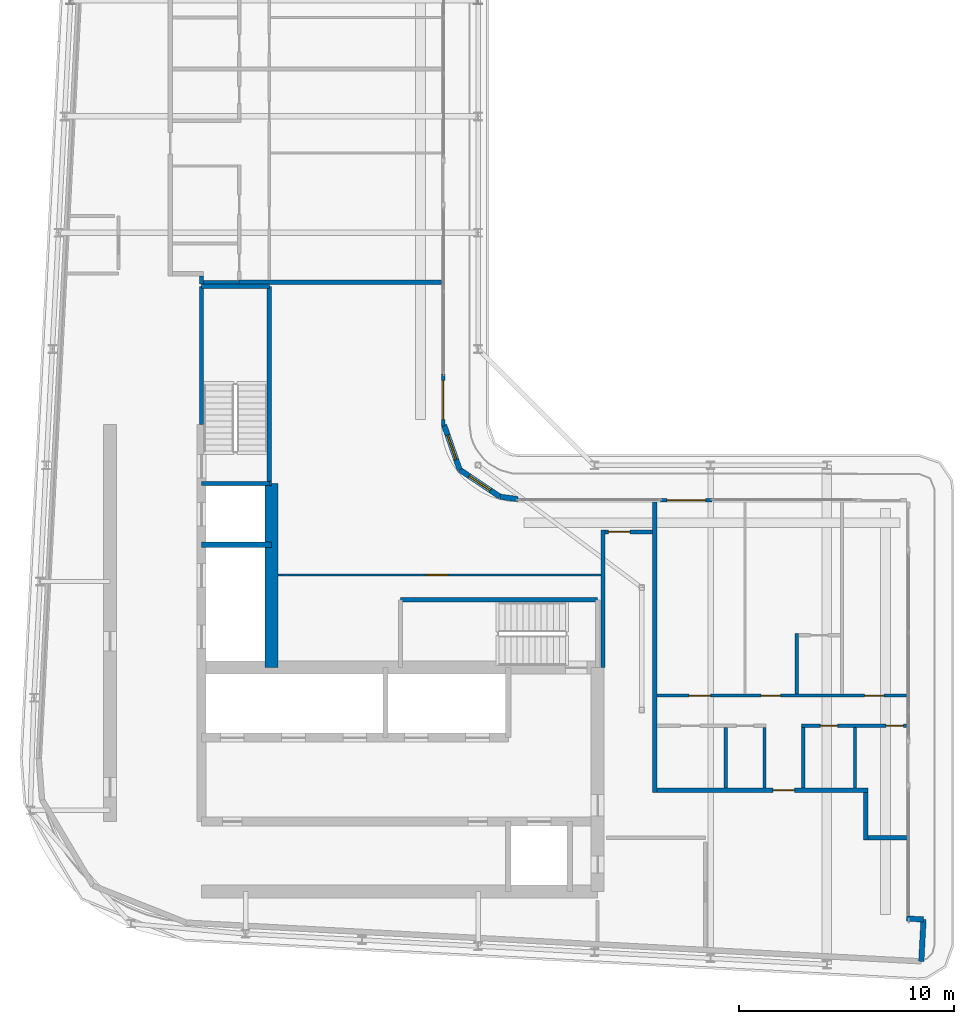
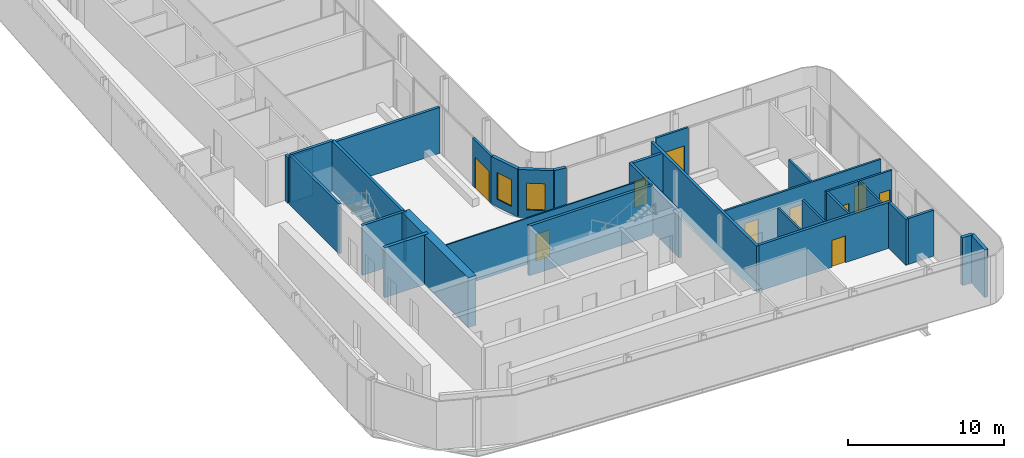
# One storey, part 12 of 21: 32 walls, 10 doors, 2 windows, 12 openings.
"""IFC4 building model written with IfcOpenShell, lengths in metres."""

from ifc_helpers import new_model, si_unit, direction, frame, frame_2d, origin, place, context, subcontext, project, spatial, rectangle, extrude, source, transform, mapped, material, layer, layer_set, type_object, element, fill, save


model = new_model("IFC4")

# Units and contexts
model_context = context("Model", 3, precision=1e-05, world=origin(), true_north=direction((0.0, 1.0)))
body_context = subcontext(model_context, "Body", "Model", "MODEL_VIEW")
ifc_project = project(units=[si_unit("LENGTHUNIT", "METRE"), si_unit("AREAUNIT", "SQUARE_METRE"), si_unit("VOLUMEUNIT", "CUBIC_METRE"), si_unit("PLANEANGLEUNIT", "RADIAN"), si_unit("MASSUNIT", "GRAM", prefix="KILO")], contexts=[model_context])

# Site, building, storey
site_placement = place(None, origin())
site = spatial("IfcSite", under=ifc_project, at=site_placement, CompositionType="ELEMENT")
building_placement = place(site_placement, origin())
building = spatial("IfcBuilding", under=site, at=building_placement, Name="Kheshtan School and Residences Tower", CompositionType="ELEMENT")
storey_placement = place(building_placement, frame((0.0, 0.0, 290.300048828125)))
storey = spatial("IfcBuildingStorey", under=building, at=storey_placement, Name="L68", CompositionType="ELEMENT", Elevation=290.300048828125)

# Walls
ifc_material_1 = material(Name="Concrete C60/75", Category="concrete")
ifc_layer_1 = layer(ifc_material_1, 0.60009765625)
ifc_layer_set_1 = layer_set([ifc_layer_1], Name="Core wall 600 Concrete C60/75")
wall_type_1 = type_object("IfcWallType", Name="Core wall 600 Concrete C60/75", PredefinedType="SHEAR", material=ifc_layer_set_1)
wall_1_placement = place(storey_placement, frame((38.0, 36.199951171875, 0.0), z_axis=(0.0, 0.0, 1.0), x_axis=(0.0, 1.0, 0.0)))
element("IfcWall", 1, at=wall_1_placement, inside=storey, type_object=wall_type_1, Name="Core wall CW-FRONT-W", PredefinedType="SHEAR", context=body_context, shape_type="SweptSolid", body=[
    extrude(rectangle(XDim=8.550048828125, YDim=0.60009765625, at=frame_2d((4.27490234375, 0.0))), origin(), (0.0, 0.0, 1.0), 3.89990234375),
])
ifc_material_2 = material(Name="Gypsum board on steel studs with fire boards", Category="steel")
ifc_layer_2 = layer(ifc_material_2, 0.199951171875)
ifc_layer_set_2 = layer_set([ifc_layer_2], Name="Corridor wall 200")
wall_type_2 = type_object("IfcWallType", Name="Corridor wall 200", PredefinedType="PARTITIONING", material=ifc_layer_set_2)
wall_2_placement = place(storey_placement, frame((34.75, 54.02490234375, 0.0), z_axis=(0.0, 0.0, 1.0), x_axis=(0.0, 1.0, 0.0)))
element("IfcWall", 2, at=wall_2_placement, inside=storey, type_object=wall_type_2, Name="Partition L68-018", PredefinedType="PARTITIONING", context=body_context, shape_type="SweptSolid", body=[
    extrude(rectangle(XDim=0.375, YDim=0.199951171875, at=frame_2d((0.1875, 0.0))), origin(), (0.0, 0.0, 1.0), 3.599853515625),
])
wall_3_placement = place(storey_placement, frame((53.39990234375, 36.198974609375, 0.0), z_axis=(0.0, 0.0, 1.0), x_axis=(0.0, 1.0, 0.0)))
element("IfcWall", 3, at=wall_3_placement, inside=storey, type_object=wall_type_2, Name="Partition L68-040", PredefinedType="PARTITIONING", context=body_context, shape_type="SweptSolid", body=[
    extrude(rectangle(XDim=6.401123046875, YDim=0.199951171875, at=frame_2d((3.20068359375, 0.0))), origin(), (0.0, 0.0, 1.0), 3.599853515625),
])

# Wall, opening, door
wall_4_placement = place(storey_placement, frame((53.5, 42.5, 0.0), z_axis=(0.0, 0.0, 1.0), x_axis=(1.0, 0.0, 0.0)))
wall_4 = element("IfcWall", 4, at=wall_4_placement, inside=storey, type_object=wall_type_2, Name="Partition L68-041", PredefinedType="PARTITIONING", context=body_context, shape_type="SweptSolid", body=[
    extrude(rectangle(XDim=2.199951171875, YDim=0.199951171875, at=frame_2d((1.10009765625, 0.0))), origin(), (0.0, 0.0, 1.0), 3.599853515625),
])
opening_1_placement = place(wall_4_placement, frame((0.14990234375, 0.0, 0.0)))
opening_1 = element("IfcOpeningElement", 5, at=opening_1_placement, cuts=wall_4, Name="Opening D68-038", PredefinedType="OPENING", context=body_context, shape_type="SweptSolid", body=[
    extrude(rectangle(XDim=1.0, YDim=2.10009765625, at=frame_2d((0.5, 1.050048828125))), frame((0.0, 0.10986328125, 0.0), z_axis=(0.0, -1.0, 0.0), x_axis=(1.0, 0.0, 0.0)), (0.0, 0.0, 1.0), 0.219970703125),
])
ifc_material_3 = material(Name="Steel-framed fire-resisting door leaf", Category="steel")
door_type_1 = type_object("IfcDoorType", Name="Fire door FD60 1000 x 2100", OperationType="SINGLE_SWING_LEFT", PredefinedType="DOOR", material=ifc_material_3)
shared_shape_1 = source(origin(), body_context, "Body", "SweptSolid", [
    extrude(rectangle(XDim=1.0, YDim=2.10009765625, at=frame_2d((0.5, 1.050048828125))), frame((0.0, 0.02490234375, 0.0), z_axis=(0.0, -1.0, 0.0), x_axis=(1.0, 0.0, 0.0)), (0.0, 0.0, 1.0), 0.050048828125),
])
door_1_placement = place(opening_1_placement, origin())
door_1 = element("IfcDoor", 6, at=door_1_placement, inside=storey, type_object=door_type_1, Name="Door D68-038", OperationType="SINGLE_SWING_RIGHT", OverallHeight=2.10009765625, OverallWidth=1.0, PredefinedType="DOOR", context=body_context, shape_type="MappedRepresentation", body=[
    mapped(shared_shape_1, transform((0.0, 0.0, 0.0), x_axis=(1.0, 0.0, 0.0), y_axis=(0.0, 1.0, 0.0), z_axis=(0.0, 0.0, 1.0), scale=1.0)),
])
fill(opening_1, door_1)

wall_5_placement = place(storey_placement, frame((55.89990234375, 30.5, 0.0), z_axis=(0.0, 0.0, 1.0), x_axis=(1.0, 0.0, 0.0)))
wall_5 = element("IfcWall", 7, at=wall_5_placement, inside=storey, type_object=wall_type_2, Name="Partition L68-043", PredefinedType="PARTITIONING", context=body_context, shape_type="SweptSolid", body=[
    extrude(rectangle(XDim=9.800048828125, YDim=0.199951171875, at=frame_2d((4.89990234375, 0.0))), origin(), (0.0, 0.0, 1.0), 3.599853515625),
])
opening_2_placement = place(wall_5_placement, frame((5.39990234375, 0.0, 0.0)))
opening_2 = element("IfcOpeningElement", 8, at=opening_2_placement, cuts=wall_5, Name="Opening D68-005", PredefinedType="OPENING", context=body_context, shape_type="SweptSolid", body=[
    extrude(rectangle(XDim=1.0, YDim=2.10009765625, at=frame_2d((0.5, 1.050048828125))), frame((0.0, 0.10986328125, 0.0), z_axis=(0.0, -1.0, 0.0), x_axis=(1.0, 0.0, 0.0)), (0.0, 0.0, 1.0), 0.219970703125),
])
door_type_2 = type_object("IfcDoorType", Name="Fire door FD30S 1000 x 2100", OperationType="SINGLE_SWING_LEFT", PredefinedType="DOOR", material=ifc_material_3)
shared_shape_2 = source(origin(), body_context, "Body", "SweptSolid", [
    extrude(rectangle(XDim=1.0, YDim=2.10009765625, at=frame_2d((0.5, 1.050048828125))), frame((0.0, 0.02490234375, 0.0), z_axis=(0.0, -1.0, 0.0), x_axis=(1.0, 0.0, 0.0)), (0.0, 0.0, 1.0), 0.050048828125),
])
door_2_placement = place(opening_2_placement, origin())
door_2 = element("IfcDoor", 9, at=door_2_placement, inside=storey, type_object=door_type_2, Name="Door D68-005", OperationType="SINGLE_SWING_RIGHT", OverallHeight=2.10009765625, OverallWidth=1.0, PredefinedType="DOOR", context=body_context, shape_type="MappedRepresentation", body=[
    mapped(shared_shape_2, transform((0.0, 0.0, 0.0), x_axis=(1.0, 0.0, 0.0), y_axis=(0.0, 1.0, 0.0), z_axis=(0.0, 0.0, 1.0), scale=1.0)),
])
fill(opening_2, door_2)

# Walls
wall_6_placement = place(storey_placement, frame((65.60009765625, 28.199951171875, 0.0), z_axis=(0.0, 0.0, 1.0), x_axis=(0.0, 1.0, 0.0)))
element("IfcWall", 10, at=wall_6_placement, inside=storey, type_object=wall_type_2, Name="Partition L68-055", PredefinedType="PARTITIONING", context=body_context, shape_type="SweptSolid", body=[
    extrude(rectangle(XDim=2.199951171875, YDim=0.199951171875, at=frame_2d((1.10009765625, 0.0))), origin(), (0.0, 0.0, 1.0), 3.599853515625),
])
wall_7_placement = place(storey_placement, frame((65.699951171875, 28.300048828125, 0.0), z_axis=(0.0, 0.0, 1.0), x_axis=(1.0, 0.0, 0.0)))
element("IfcWall", 11, at=wall_7_placement, inside=storey, type_object=wall_type_2, Name="Partition L68-056", PredefinedType="PARTITIONING", context=body_context, shape_type="SweptSolid", body=[
    extrude(rectangle(XDim=1.8701171875, YDim=0.199951171875, at=frame_2d((0.93505859375, 0.0))), origin(), (0.0, 0.0, 1.0), 3.599853515625),
])

# Wall, opening, window
ifc_material_4 = material(Name="Concrete C40/50 with ceramic cladding and mineral wool insulation", Category="concrete")
ifc_layer_3 = layer(ifc_material_4, 0.25)
ifc_layer_set_3 = layer_set([ifc_layer_3], Name="External wall 250 ceramic clad")
wall_type_3 = type_object("IfcWallType", Name="External wall 250 ceramic clad", PredefinedType="SOLIDWALL", material=ifc_layer_set_3)
wall_8_placement = place(storey_placement, frame((46.01806640625, 47.470947265625, 0.0), z_axis=(0.0, 0.0, 1.0), x_axis=(0.328791208903, -0.944402637093, 0.0)))
wall_8 = element("IfcWall", 12, at=wall_8_placement, inside=storey, type_object=wall_type_3, Name="External wall L68 9", PredefinedType="SOLIDWALL", context=body_context, shape_type="SweptSolid", body=[
    extrude(rectangle(XDim=2.20458984375, YDim=0.25, at=frame_2d((1.102294921875, 0.0))), origin(), (0.0, 0.0, 1.0), 3.75),
])
opening_3_placement = place(wall_8_placement, frame((0.5029296875, 0.0, 0.60009765625)))
opening_3 = element("IfcOpeningElement", 13, at=opening_3_placement, cuts=wall_8, Name="Opening WN-E", PredefinedType="OPENING", context=body_context, shape_type="SweptSolid", body=[
    extrude(rectangle(XDim=1.199951171875, YDim=2.10009765625, at=frame_2d((0.60009765625, 1.050048828125))), frame((0.0, 0.135009765625, 0.0), z_axis=(0.0, -1.0, 0.0), x_axis=(1.0, 0.0, 0.0)), (0.0, 0.0, 1.0), 0.27001953125),
])
ifc_material_5 = material(Name="Clear low-e glass in thermally broken aluminium frame", Category="aluminium")
window_type = type_object("IfcWindowType", Name="Window WN-E", PartitioningType="SINGLE_PANEL", PredefinedType="WINDOW", material=ifc_material_5)
shared_shape_3 = source(origin(), body_context, "Body", "SweptSolid", [
    extrude(rectangle(XDim=1.199951171875, YDim=2.10009765625, at=frame_2d((0.60009765625, 1.050048828125))), frame((0.0, 0.030029296875, 0.0), z_axis=(0.0, -1.0, 0.0), x_axis=(1.0, 0.0, 0.0)), (0.0, 0.0, 1.0), 0.06005859375),
])
window_1_placement = place(opening_3_placement, origin())
window_1 = element("IfcWindow", 14, at=window_1_placement, inside=storey, type_object=window_type, Name="Window L68 9", OverallHeight=2.10009765625, OverallWidth=1.199951171875, PartitioningType="SINGLE_PANEL", PredefinedType="WINDOW", context=body_context, shape_type="MappedRepresentation", body=[
    mapped(shared_shape_3, transform((0.0, 0.0, 0.0), x_axis=(1.0, 0.0, 0.0), y_axis=(0.0, 1.0, 0.0), z_axis=(0.0, 0.0, 1.0), scale=1.0)),
])
fill(opening_3, window_1)

wall_9_placement = place(storey_placement, frame((46.742919921875, 45.388916015625, 0.0), z_axis=(0.0, 0.0, 1.0), x_axis=(0.831449265529, -0.555600682912, 0.0)))
wall_9 = element("IfcWall", 15, at=wall_9_placement, inside=storey, type_object=wall_type_3, Name="External wall L68 10", PredefinedType="SOLIDWALL", context=body_context, shape_type="SweptSolid", body=[
    extrude(rectangle(XDim=2.25146484375, YDim=0.25, at=frame_2d((1.125732421875, 0.0))), origin(), (0.0, 0.0, 1.0), 3.75),
])
opening_4_placement = place(wall_9_placement, frame((0.52490234375, 0.0, 0.60009765625)))
opening_4 = element("IfcOpeningElement", 16, at=opening_4_placement, cuts=wall_9, Name="Opening WN-E", PredefinedType="OPENING", context=body_context, shape_type="SweptSolid", body=[
    extrude(rectangle(XDim=1.199951171875, YDim=2.10009765625, at=frame_2d((0.60009765625, 1.050048828125))), frame((0.0, 0.135009765625, 0.0), z_axis=(0.0, -1.0, 0.0), x_axis=(1.0, 0.0, 0.0)), (0.0, 0.0, 1.0), 0.27001953125),
])
window_2_placement = place(opening_4_placement, origin())
window_2 = element("IfcWindow", 17, at=window_2_placement, inside=storey, type_object=window_type, Name="Window L68 10", OverallHeight=2.10009765625, OverallWidth=1.199951171875, PartitioningType="SINGLE_PANEL", PredefinedType="WINDOW", context=body_context, shape_type="MappedRepresentation", body=[
    mapped(shared_shape_3, transform((0.0, 0.0, 0.0), x_axis=(1.0, 0.0, 0.0), y_axis=(0.0, 1.0, 0.0), z_axis=(0.0, 0.0, 1.0), scale=1.0)),
])
fill(opening_4, window_2)

# Walls
wall_10_placement = place(storey_placement, frame((48.614990234375, 44.137939453125, 0.0), z_axis=(0.0, 0.0, 1.0), x_axis=(0.990741504246, -0.135761819977, 0.0)))
element("IfcWall", 18, at=wall_10_placement, inside=storey, type_object=wall_type_3, Name="External wall L68 11", PredefinedType="SOLIDWALL", context=body_context, shape_type="SweptSolid", body=[
    extrude(rectangle(XDim=0.83984375, YDim=0.25, at=frame_2d((0.419921875, 0.0))), origin(), (0.0, 0.0, 1.0), 3.75),
])
wall_11_placement = place(storey_placement, frame((67.507080078125, 24.5439453125, 0.0), z_axis=(0.0, 0.0, 1.0), x_axis=(0.998561284263, -0.053622398031, 0.0)))
element("IfcWall", 19, at=wall_11_placement, inside=storey, type_object=wall_type_3, Name="External wall L68 14", PredefinedType="SOLIDWALL", context=body_context, shape_type="SweptSolid", body=[
    extrude(rectangle(XDim=0.783203125, YDim=0.25, at=frame_2d((0.3916015625, 0.0))), origin(), (0.0, 0.0, 1.0), 3.75),
])
wall_12_placement = place(storey_placement, frame((68.2890625, 24.501953125, 0.0), z_axis=(0.0, 0.0, 1.0), x_axis=(-0.052841433274, -0.998602915542, 0.0)))
element("IfcWall", 20, at=wall_12_placement, inside=storey, type_object=wall_type_3, Name="External wall L68 15", PredefinedType="SOLIDWALL", context=body_context, shape_type="SweptSolid", body=[
    extrude(rectangle(XDim=1.94970703125, YDim=0.25, at=frame_2d((0.974853515625, 0.0))), origin(), (0.0, 0.0, 1.0), 3.75),
])

# Wall, opening, door
ifc_material_6 = material(Name="Aluminium frame wall with insulated infill", Category="aluminium")
ifc_layer_4 = layer(ifc_material_6, 0.14990234375)
ifc_layer_set_4 = layer_set([ifc_layer_4], Name="Glazing frame wall 150")
wall_type_4 = type_object("IfcWallType", Name="Glazing frame wall 150", PredefinedType="SOLIDWALL", material=ifc_layer_set_4)
wall_13_placement = place(storey_placement, frame((45.97509765625, 49.830078125, 0.0), z_axis=(0.0, 0.0, 1.0), x_axis=(0.0, -1.0, 0.0)))
wall_13 = element("IfcWall", 21, at=wall_13_placement, inside=storey, type_object=wall_type_4, Name="Balcony door wall L68 8.5", PredefinedType="SOLIDWALL", context=body_context, shape_type="SweptSolid", body=[
    extrude(rectangle(XDim=2.400146484375, YDim=0.14990234375, at=frame_2d((1.2001953125, 0.0))), origin(), (0.0, 0.0, 1.0), 3.75),
])
opening_5_placement = place(wall_13_placement, frame((0.300048828125, 0.0, 0.0)))
opening_5 = element("IfcOpeningElement", 22, at=opening_5_placement, cuts=wall_13, Name="Opening BD", PredefinedType="OPENING", context=body_context, shape_type="SweptSolid", body=[
    extrude(rectangle(XDim=1.800048828125, YDim=2.39990234375, at=frame_2d((0.89990234375, 1.199951171875))), frame((0.0, 0.0849609375, 0.0), z_axis=(0.0, -1.0, 0.0), x_axis=(1.0, 0.0, 0.0)), (0.0, 0.0, 1.0), 0.169921875),
])
door_type_3 = type_object("IfcDoorType", Name="Balcony sliding door", OperationType="SLIDING_TO_LEFT", PredefinedType="DOOR", material=ifc_material_5)
shared_shape_4 = source(origin(), body_context, "Body", "SweptSolid", [
    extrude(rectangle(XDim=1.800048828125, YDim=2.39990234375, at=frame_2d((0.89990234375, 1.199951171875))), frame((0.0, 0.02490234375, 0.0), z_axis=(0.0, -1.0, 0.0), x_axis=(1.0, 0.0, 0.0)), (0.0, 0.0, 1.0), 0.050048828125),
])
door_3_placement = place(opening_5_placement, origin())
door_3 = element("IfcDoor", 23, at=door_3_placement, inside=storey, type_object=door_type_3, Name="Balcony door L68 8.5", OperationType="SLIDING_TO_LEFT", OverallHeight=2.39990234375, OverallWidth=1.800048828125, PredefinedType="DOOR", context=body_context, shape_type="MappedRepresentation", body=[
    mapped(shared_shape_4, transform((0.0, 0.0, 0.0), x_axis=(1.0, 0.0, 0.0), y_axis=(0.0, 1.0, 0.0), z_axis=(0.0, 0.0, 1.0), scale=1.0)),
])
fill(opening_5, door_3)

wall_14_placement = place(storey_placement, frame((56.06494140625, 43.97509765625, 0.0), z_axis=(0.0, 0.0, 1.0), x_axis=(1.0, 0.0, 0.0)))
wall_14 = element("IfcWall", 24, at=wall_14_placement, inside=storey, type_object=wall_type_4, Name="Balcony door wall L68 12.1", PredefinedType="SOLIDWALL", context=body_context, shape_type="SweptSolid", body=[
    extrude(rectangle(XDim=2.400146484375, YDim=0.14990234375, at=frame_2d((1.2001953125, 0.0))), origin(), (0.0, 0.0, 1.0), 3.75),
])
opening_6_placement = place(wall_14_placement, frame((0.300048828125, 0.0, 0.0)))
opening_6 = element("IfcOpeningElement", 25, at=opening_6_placement, cuts=wall_14, Name="Opening BD", PredefinedType="OPENING", context=body_context, shape_type="SweptSolid", body=[
    extrude(rectangle(XDim=1.800048828125, YDim=2.39990234375, at=frame_2d((0.89990234375, 1.199951171875))), frame((0.0, 0.0849609375, 0.0), z_axis=(0.0, -1.0, 0.0), x_axis=(1.0, 0.0, 0.0)), (0.0, 0.0, 1.0), 0.169921875),
])
door_4_placement = place(opening_6_placement, origin())
door_4 = element("IfcDoor", 26, at=door_4_placement, inside=storey, type_object=door_type_3, Name="Balcony door L68 12.1", OperationType="SLIDING_TO_LEFT", OverallHeight=2.39990234375, OverallWidth=1.800048828125, PredefinedType="DOOR", context=body_context, shape_type="MappedRepresentation", body=[
    mapped(shared_shape_4, transform((0.0, 0.0, 0.0), x_axis=(1.0, 0.0, 0.0), y_axis=(0.0, 1.0, 0.0), z_axis=(0.0, 0.0, 1.0), scale=1.0)),
])
fill(opening_6, door_4)

ifc_material_7 = material(Name="Gypsum board on steel studs", Category="steel")
ifc_layer_5 = layer(ifc_material_7, 0.10009765625)
ifc_layer_set_5 = layer_set([ifc_layer_5], Name="Gypsum partition 100")
wall_type_5 = type_object("IfcWallType", Name="Gypsum partition 100", PredefinedType="PARTITIONING", material=ifc_layer_set_5)
wall_15_placement = place(storey_placement, frame((38.299072265625, 40.5, 0.0), z_axis=(0.0, 0.0, 1.0), x_axis=(1.0, 0.0, 0.0)))
wall_15 = element("IfcWall", 27, at=wall_15_placement, inside=storey, type_object=wall_type_5, Name="Partition L68-039", PredefinedType="PARTITIONING", context=body_context, shape_type="SweptSolid", body=[
    extrude(rectangle(XDim=15.0009765625, YDim=0.10009765625, at=frame_2d((7.50048828125, 0.0))), origin(), (0.0, 0.0, 1.0), 3.599853515625),
])
opening_7_placement = place(wall_15_placement, frame((6.90087890625, 0.0, 0.0)))
opening_7 = element("IfcOpeningElement", 28, at=opening_7_placement, cuts=wall_15, Name="Opening D68-037", PredefinedType="OPENING", context=body_context, shape_type="SweptSolid", body=[
    extrude(rectangle(XDim=1.0, YDim=2.10009765625, at=frame_2d((0.5, 1.050048828125))), frame((0.0, 0.06005859375, 0.0), z_axis=(0.0, -1.0, 0.0), x_axis=(1.0, 0.0, 0.0)), (0.0, 0.0, 1.0), 0.1201171875),
])
ifc_material_8 = material(Name="Veneered timber door leaf", Category="wood")
door_type_4 = type_object("IfcDoorType", Name="Door 1000 x 2100", OperationType="SINGLE_SWING_LEFT", PredefinedType="DOOR", material=ifc_material_8)
shared_shape_5 = source(origin(), body_context, "Body", "SweptSolid", [
    extrude(rectangle(XDim=1.0, YDim=2.10009765625, at=frame_2d((0.5, 1.050048828125))), frame((0.0, 0.02490234375, 0.0), z_axis=(0.0, -1.0, 0.0), x_axis=(1.0, 0.0, 0.0)), (0.0, 0.0, 1.0), 0.050048828125),
])
door_5_placement = place(opening_7_placement, origin())
door_5 = element("IfcDoor", 29, at=door_5_placement, inside=storey, type_object=door_type_4, Name="Door D68-037", OperationType="SINGLE_SWING_RIGHT", OverallHeight=2.10009765625, OverallWidth=1.0, PredefinedType="DOOR", context=body_context, shape_type="MappedRepresentation", body=[
    mapped(shared_shape_5, transform((0.0, 0.0, 0.0), x_axis=(1.0, 0.0, 0.0), y_axis=(0.0, 1.0, 0.0), z_axis=(0.0, 0.0, 1.0), scale=1.0)),
])
fill(opening_7, door_5)

# Walls
ifc_material_9 = material(Name="Fire-board shaft wall system")
ifc_layer_6 = layer(ifc_material_9, 0.25)
ifc_layer_set_6 = layer_set([ifc_layer_6], Name="Shaft lining wall 250")
wall_type_6 = type_object("IfcWallType", Name="Shaft lining wall 250", PredefinedType="PARTITIONING", material=ifc_layer_set_6)
wall_16_placement = place(storey_placement, frame((34.75, 41.89990234375, 0.0), z_axis=(0.0, 0.0, 1.0), x_axis=(1.0, 0.0, 0.0)))
element("IfcWall", 30, at=wall_16_placement, inside=storey, type_object=wall_type_6, Name="Shaft lining wall", PredefinedType="PARTITIONING", context=body_context, shape_type="SweptSolid", body=[
    extrude(rectangle(XDim=3.25, YDim=0.25, at=frame_2d((1.625, 0.0))), origin(), (0.0, 0.0, 1.0), 3.89990234375),
])
wall_17_placement = place(storey_placement, frame((37.89990234375, 44.75, 0.0), z_axis=(0.0, 0.0, 1.0), x_axis=(1.0, 0.0, 0.0)))
element("IfcWall", 31, at=wall_17_placement, inside=storey, type_object=wall_type_6, Name="Shaft lining wall", PredefinedType="PARTITIONING", context=body_context, shape_type="SweptSolid", body=[
    extrude(rectangle(XDim=0.10009765625, YDim=0.25, at=frame_2d((0.050048828125, 0.0))), origin(), (0.0, 0.0, 1.0), 3.89990234375),
])
ifc_material_10 = material(Name="Concrete C40/50", Category="concrete")
ifc_layer_7 = layer(ifc_material_10, 0.199951171875)
ifc_layer_set_7 = layer_set([ifc_layer_7], Name="Stair enclosure wall 200 Concrete C40/50")
wall_type_7 = type_object("IfcWallType", Name="Stair enclosure wall 200 Concrete C40/50", PredefinedType="SHEAR", material=ifc_layer_set_7)
wall_18_placement = place(storey_placement, frame((43.989990234375, 39.35009765625, 0.0), z_axis=(0.0, 0.0, 1.0), x_axis=(1.0, 0.0, 0.0)))
element("IfcWall", 32, at=wall_18_placement, inside=storey, type_object=wall_type_7, Name="Stair enclosure wall ST1", PredefinedType="SHEAR", context=body_context, shape_type="SweptSolid", body=[
    extrude(rectangle(XDim=9.159912109375, YDim=0.199951171875, at=frame_2d((4.580078125, 0.0))), origin(), (0.0, 0.0, 1.0), 3.89990234375),
])
for number, where, z_axis, x_axis, name in (
    (33, (34.75, 44.75, 0.0), (0.0, 0.0, 1.0), (1.0, 0.0, 0.0), "Stair enclosure wall ST2"),
    (34, (34.75, 53.909912109375, 0.0), (0.0, 0.0, 1.0), (1.0, 0.0, 0.0), "Stair enclosure wall ST2"),
):
    element("IfcWall", number, at=place(storey_placement, frame(where, z_axis=z_axis, x_axis=x_axis)), inside=storey, type_object=wall_type_7, Name=name, PredefinedType="SHEAR", context=body_context, shape_type="SweptSolid", body=[
        extrude(rectangle(XDim=3.14990234375, YDim=0.199951171875, at=frame_2d((1.574951171875, 0.0))), origin(), (0.0, 0.0, 1.0), 3.89990234375),
    ])
wall_19_placement = place(storey_placement, frame((34.75, 47.5, 0.0), z_axis=(0.0, 0.0, 1.0), x_axis=(0.0, 1.0, 0.0)))
element("IfcWall", 35, at=wall_19_placement, inside=storey, type_object=wall_type_7, Name="Stair enclosure wall ST2", PredefinedType="SHEAR", context=body_context, shape_type="SweptSolid", body=[
    extrude(rectangle(XDim=6.409912109375, YDim=0.199951171875, at=frame_2d((3.205078125, 0.0))), origin(), (0.0, 0.0, 1.0), 3.89990234375),
])
wall_20_placement = place(storey_placement, frame((37.89990234375, 44.75, 0.0), z_axis=(0.0, 0.0, 1.0), x_axis=(0.0, 1.0, 0.0)))
element("IfcWall", 36, at=wall_20_placement, inside=storey, type_object=wall_type_7, Name="Stair enclosure wall ST2", PredefinedType="SHEAR", context=body_context, shape_type="SweptSolid", body=[
    extrude(rectangle(XDim=9.159912109375, YDim=0.199951171875, at=frame_2d((4.580078125, 0.0))), origin(), (0.0, 0.0, 1.0), 3.89990234375),
])
ifc_material_11 = material(Name="Twin gypsum board on steel studs with mineral wool", Category="steel")
ifc_layer_8 = layer(ifc_material_11, 0.199951171875)
ifc_layer_set_8 = layer_set([ifc_layer_8], Name="Unit demising wall 200")
wall_type_8 = type_object("IfcWallType", Name="Unit demising wall 200", PredefinedType="PARTITIONING", material=ifc_layer_set_8)
wall_21_placement = place(storey_placement, frame((36.5, 54.10009765625, 0.0), z_axis=(0.0, 0.0, 1.0), x_axis=(1.0, 0.0, 0.0)))
element("IfcWall", 37, at=wall_21_placement, inside=storey, type_object=wall_type_8, Name="Partition L68-021", PredefinedType="PARTITIONING", context=body_context, shape_type="SweptSolid", body=[
    extrude(rectangle(XDim=9.39990234375, YDim=0.199951171875, at=frame_2d((4.699951171875, 0.0))), origin(), (0.0, 0.0, 1.0), 3.599853515625),
])
wall_22_placement = place(storey_placement, frame((55.800048828125, 30.39990234375, 0.0), z_axis=(0.0, 0.0, 1.0), x_axis=(0.0, 1.0, 0.0)))
element("IfcWall", 38, at=wall_22_placement, inside=storey, type_object=wall_type_8, Name="Partition L68-042", PredefinedType="PARTITIONING", context=body_context, shape_type="SweptSolid", body=[
    extrude(rectangle(XDim=13.5, YDim=0.199951171875, at=frame_2d((6.75, 0.0))), origin(), (0.0, 0.0, 1.0), 3.599853515625),
])
ifc_material_12 = material(Name="Moisture-resistant gypsum board on steel studs", Category="steel")
ifc_layer_9 = layer(ifc_material_12, 0.14990234375)
ifc_layer_set_9 = layer_set([ifc_layer_9], Name="Wet-room partition 150")
wall_type_9 = type_object("IfcWallType", Name="Wet-room partition 150", PredefinedType="PARTITIONING", material=ifc_layer_set_9)
wall_23_placement = place(storey_placement, frame((34.85009765625, 54.10009765625, 0.0), z_axis=(0.0, 0.0, 1.0), x_axis=(1.0, 0.0, 0.0)))
element("IfcWall", 39, at=wall_23_placement, inside=storey, type_object=wall_type_9, Name="Partition L68-019", PredefinedType="PARTITIONING", context=body_context, shape_type="SweptSolid", body=[
    extrude(rectangle(XDim=1.64990234375, YDim=0.14990234375, at=frame_2d((0.824951171875, 0.0))), origin(), (0.0, 0.0, 1.0), 3.599853515625),
])

# Wall, openings, doors
wall_24_placement = place(storey_placement, frame((55.89990234375, 34.89990234375, 0.0), z_axis=(0.0, 0.0, 1.0), x_axis=(1.0, 0.0, 0.0)))
wall_24 = element("IfcWall", 40, at=wall_24_placement, inside=storey, type_object=wall_type_9, Name="Partition L68-045", PredefinedType="PARTITIONING", context=body_context, shape_type="SweptSolid", body=[
    extrude(rectangle(XDim=11.60009765625, YDim=0.14990234375, at=frame_2d((5.800048828125, 0.0))), origin(), (0.0, 0.0, 1.0), 3.599853515625),
])
opening_8_placement = place(wall_24_placement, frame((9.64990234375, 0.0, 0.0)))
opening_8 = element("IfcOpeningElement", 41, at=opening_8_placement, cuts=wall_24, Name="Opening D68-002", PredefinedType="OPENING", context=body_context, shape_type="SweptSolid", body=[
    extrude(rectangle(XDim=0.89990234375, YDim=2.10009765625, at=frame_2d((0.449951171875, 1.050048828125))), frame((0.0, 0.0849609375, 0.0), z_axis=(0.0, -1.0, 0.0), x_axis=(1.0, 0.0, 0.0)), (0.0, 0.0, 1.0), 0.169921875),
])
opening_9_placement = place(wall_24_placement, frame((1.5, 0.0, 0.0)))
opening_9 = element("IfcOpeningElement", 42, at=opening_9_placement, cuts=wall_24, Name="Opening D68-007", PredefinedType="OPENING", context=body_context, shape_type="SweptSolid", body=[
    extrude(rectangle(XDim=1.0, YDim=2.10009765625, at=frame_2d((0.5, 1.050048828125))), frame((0.0, 0.0849609375, 0.0), z_axis=(0.0, -1.0, 0.0), x_axis=(1.0, 0.0, 0.0)), (0.0, 0.0, 1.0), 0.169921875),
])
opening_10_placement = place(wall_24_placement, frame((4.85009765625, 0.0, 0.0)))
opening_10 = element("IfcOpeningElement", 43, at=opening_10_placement, cuts=wall_24, Name="Opening D68-008", PredefinedType="OPENING", context=body_context, shape_type="SweptSolid", body=[
    extrude(rectangle(XDim=0.89990234375, YDim=2.10009765625, at=frame_2d((0.449951171875, 1.050048828125))), frame((0.0, 0.0849609375, 0.0), z_axis=(0.0, -1.0, 0.0), x_axis=(1.0, 0.0, 0.0)), (0.0, 0.0, 1.0), 0.169921875),
])
door_6_placement = place(opening_9_placement, origin())
door_6 = element("IfcDoor", 44, at=door_6_placement, inside=storey, type_object=door_type_4, Name="Door D68-007", OperationType="SINGLE_SWING_RIGHT", OverallHeight=2.10009765625, OverallWidth=1.0, PredefinedType="DOOR", context=body_context, shape_type="MappedRepresentation", body=[
    mapped(shared_shape_5, transform((0.0, 0.0, 0.0), x_axis=(1.0, 0.0, 0.0), y_axis=(0.0, 1.0, 0.0), z_axis=(0.0, 0.0, 1.0), scale=1.0)),
])
fill(opening_9, door_6)
door_type_5 = type_object("IfcDoorType", Name="Door 900 x 2100", OperationType="SINGLE_SWING_LEFT", PredefinedType="DOOR", material=ifc_material_8)
shared_shape_6 = source(origin(), body_context, "Body", "SweptSolid", [
    extrude(rectangle(XDim=0.89990234375, YDim=2.10009765625, at=frame_2d((0.449951171875, 1.050048828125))), frame((0.0, 0.02490234375, 0.0), z_axis=(0.0, -1.0, 0.0), x_axis=(1.0, 0.0, 0.0)), (0.0, 0.0, 1.0), 0.050048828125),
])
door_7_placement = place(opening_8_placement, origin())
door_7 = element("IfcDoor", 45, at=door_7_placement, inside=storey, type_object=door_type_5, Name="Door D68-002", OperationType="SINGLE_SWING_LEFT", OverallHeight=2.10009765625, OverallWidth=0.89990234375, PredefinedType="DOOR", context=body_context, shape_type="MappedRepresentation", body=[
    mapped(shared_shape_6, transform((0.0, 0.0, 0.0), x_axis=(1.0, 0.0, 0.0), y_axis=(0.0, 1.0, 0.0), z_axis=(0.0, 0.0, 1.0), scale=1.0)),
])
fill(opening_8, door_7)
door_8_placement = place(opening_10_placement, origin())
door_8 = element("IfcDoor", 46, at=door_8_placement, inside=storey, type_object=door_type_5, Name="Door D68-008", OperationType="SINGLE_SWING_LEFT", OverallHeight=2.10009765625, OverallWidth=0.89990234375, PredefinedType="DOOR", context=body_context, shape_type="MappedRepresentation", body=[
    mapped(shared_shape_6, transform((0.0, 0.0, 0.0), x_axis=(1.0, 0.0, 0.0), y_axis=(0.0, 1.0, 0.0), z_axis=(0.0, 0.0, 1.0), scale=1.0)),
])
fill(opening_10, door_8)

# Walls
for number, where, z_axis, x_axis, name in (
    (47, (59.10009765625, 30.60009765625, 0.0), (0.0, 0.0, 1.0), (0.0, 1.0, 0.0), "Partition L68-046"),
    (48, (60.89990234375, 30.60009765625, 0.0), (0.0, 0.0, 1.0), (0.0, 1.0, 0.0), "Partition L68-048"),
):
    element("IfcWall", number, at=place(storey_placement, frame(where, z_axis=z_axis, x_axis=x_axis)), inside=storey, type_object=wall_type_9, Name=name, PredefinedType="PARTITIONING", context=body_context, shape_type="SweptSolid", body=[
        extrude(rectangle(XDim=2.824951171875, YDim=0.14990234375, at=frame_2d((1.41259765625, 0.0))), origin(), (0.0, 0.0, 1.0), 3.599853515625),
    ])
wall_25_placement = place(storey_placement, frame((62.39990234375, 34.97509765625, 0.0), z_axis=(0.0, 0.0, 1.0), x_axis=(0.0, 1.0, 0.0)))
element("IfcWall", 49, at=wall_25_placement, inside=storey, type_object=wall_type_9, Name="Partition L68-049", PredefinedType="PARTITIONING", context=body_context, shape_type="SweptSolid", body=[
    extrude(rectangle(XDim=2.7998046875, YDim=0.14990234375, at=frame_2d((1.39990234375, 0.0))), origin(), (0.0, 0.0, 1.0), 3.599853515625),
])

# Wall, openings, doors
wall_26_placement = place(storey_placement, frame((62.625, 33.5, 0.0), z_axis=(0.0, 0.0, 1.0), x_axis=(1.0, 0.0, 0.0)))
wall_26 = element("IfcWall", 50, at=wall_26_placement, inside=storey, type_object=wall_type_9, Name="Partition L68-051", PredefinedType="PARTITIONING", context=body_context, shape_type="SweptSolid", body=[
    extrude(rectangle(XDim=4.875, YDim=0.14990234375, at=frame_2d((2.4375, 0.0))), origin(), (0.0, 0.0, 1.0), 3.599853515625),
])
opening_11_placement = place(wall_26_placement, frame((0.875, 0.0, 0.0)))
opening_11 = element("IfcOpeningElement", 51, at=opening_11_placement, cuts=wall_26, Name="Opening D68-001", PredefinedType="OPENING", context=body_context, shape_type="SweptSolid", body=[
    extrude(rectangle(XDim=0.800048828125, YDim=2.10009765625, at=frame_2d((0.39990234375, 1.050048828125))), frame((0.0, 0.0849609375, 0.0), z_axis=(0.0, -1.0, 0.0), x_axis=(1.0, 0.0, 0.0)), (0.0, 0.0, 1.0), 0.169921875),
])
opening_12_placement = place(wall_26_placement, frame((3.925048828125, 0.0, 0.0)))
opening_12 = element("IfcOpeningElement", 52, at=opening_12_placement, cuts=wall_26, Name="Opening D68-003", PredefinedType="OPENING", context=body_context, shape_type="SweptSolid", body=[
    extrude(rectangle(XDim=0.800048828125, YDim=2.10009765625, at=frame_2d((0.39990234375, 1.050048828125))), frame((0.0, 0.0849609375, 0.0), z_axis=(0.0, -1.0, 0.0), x_axis=(1.0, 0.0, 0.0)), (0.0, 0.0, 1.0), 0.169921875),
])
door_type_6 = type_object("IfcDoorType", Name="Door 800 x 2100", OperationType="SINGLE_SWING_LEFT", PredefinedType="DOOR", material=ifc_material_8)
shared_shape_7 = source(origin(), body_context, "Body", "SweptSolid", [
    extrude(rectangle(XDim=0.800048828125, YDim=2.10009765625, at=frame_2d((0.39990234375, 1.050048828125))), frame((0.0, 0.02490234375, 0.0), z_axis=(0.0, -1.0, 0.0), x_axis=(1.0, 0.0, 0.0)), (0.0, 0.0, 1.0), 0.050048828125),
])
door_9_placement = place(opening_11_placement, origin())
door_9 = element("IfcDoor", 53, at=door_9_placement, inside=storey, type_object=door_type_6, Name="Door D68-001", OperationType="SINGLE_SWING_RIGHT", OverallHeight=2.10009765625, OverallWidth=0.800048828125, PredefinedType="DOOR", context=body_context, shape_type="MappedRepresentation", body=[
    mapped(shared_shape_7, transform((0.0, 0.0, 0.0), x_axis=(1.0, 0.0, 0.0), y_axis=(0.0, 1.0, 0.0), z_axis=(0.0, 0.0, 1.0), scale=1.0)),
])
fill(opening_11, door_9)
door_10_placement = place(opening_12_placement, origin())
door_10 = element("IfcDoor", 54, at=door_10_placement, inside=storey, type_object=door_type_6, Name="Door D68-003", OperationType="SINGLE_SWING_RIGHT", OverallHeight=2.10009765625, OverallWidth=0.800048828125, PredefinedType="DOOR", context=body_context, shape_type="MappedRepresentation", body=[
    mapped(shared_shape_7, transform((0.0, 0.0, 0.0), x_axis=(1.0, 0.0, 0.0), y_axis=(0.0, 1.0, 0.0), z_axis=(0.0, 0.0, 1.0), scale=1.0)),
])
fill(opening_12, door_10)

# Walls
for number, where, z_axis, x_axis, name in (
    (55, (62.699951171875, 30.60009765625, 0.0), (0.0, 0.0, 1.0), (0.0, 1.0, 0.0), "Partition L68-052"),
    (56, (65.10009765625, 30.60009765625, 0.0), (0.0, 0.0, 1.0), (0.0, 1.0, 0.0), "Partition L68-054"),
):
    element("IfcWall", number, at=place(storey_placement, frame(where, z_axis=z_axis, x_axis=x_axis)), inside=storey, type_object=wall_type_9, Name=name, PredefinedType="PARTITIONING", context=body_context, shape_type="SweptSolid", body=[
        extrude(rectangle(XDim=2.824951171875, YDim=0.14990234375, at=frame_2d((1.41259765625, 0.0))), origin(), (0.0, 0.0, 1.0), 3.599853515625),
    ])

save(model, "model.ifc")
